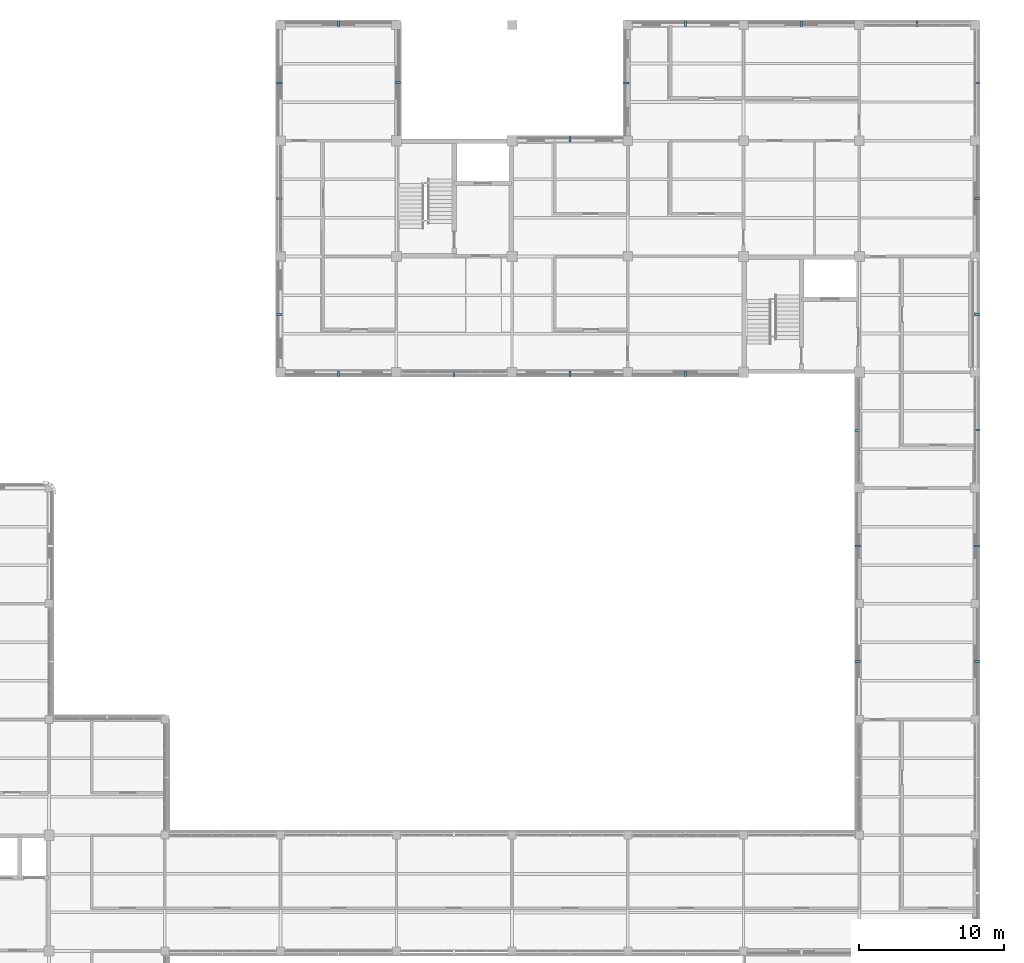
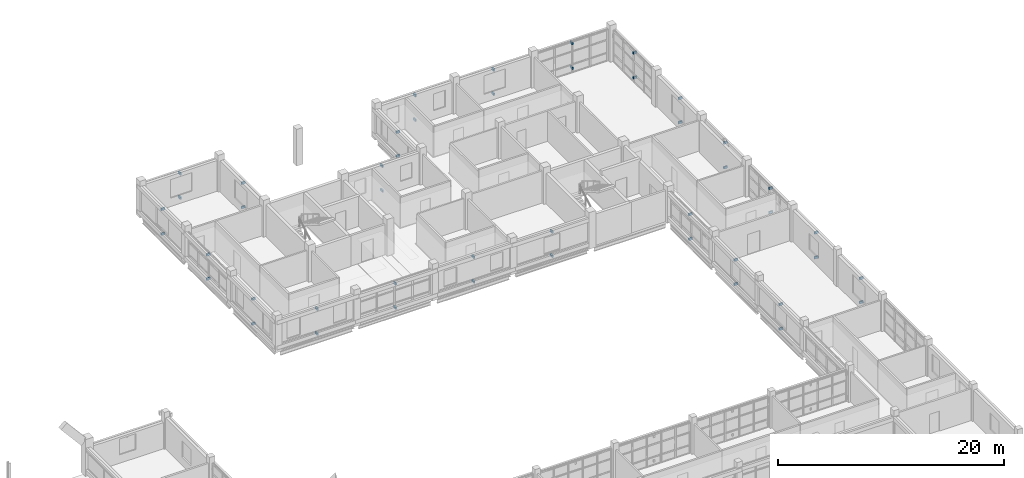
# One storey, part 82 of 92: 46 discrete accessories.
"""IFC4 building model written with IfcOpenShell, lengths in metres."""

from ifc_helpers import new_model, si_unit, derived_unit, direction, frame, origin, origin_2d, place, context, subcontext, project, spatial, rectangle, extrude, material, type_object, element, save


model = new_model("IFC4")

# Units and contexts
model_context = context("Model", 3, precision=1e-05, world=origin(), true_north=direction((0.0, 1.0)))
body_context = subcontext(model_context, "Body", "Model", "MODEL_VIEW")
ifc_project = project(units=[si_unit("LENGTHUNIT", "METRE"), si_unit("AREAUNIT", "SQUARE_METRE"), si_unit("VOLUMEUNIT", "CUBIC_METRE"), si_unit("PLANEANGLEUNIT", "RADIAN"), si_unit("MASSUNIT", "GRAM", prefix="KILO"), derived_unit("THERMALTRANSMITTANCEUNIT", [(si_unit("MASSUNIT", "GRAM", prefix="KILO"), 1), (si_unit("TIMEUNIT", "SECOND"), -3), (si_unit("THERMODYNAMICTEMPERATUREUNIT", "KELVIN"), -1)])], contexts=[model_context])

# Site, building, storey
site_placement = place(None, origin())
site = spatial("IfcSite", under=ifc_project, at=site_placement, CompositionType="ELEMENT")
building_placement = place(site_placement, origin())
building = spatial("IfcBuilding", under=site, at=building_placement, Name="Veyamyaing Civic Hall", CompositionType="ELEMENT")
storey_placement = place(building_placement, frame((0.0, 0.0, 17.820068359375)))
storey = spatial("IfcBuildingStorey", under=building, at=storey_placement, Name="L04", CompositionType="ELEMENT", Elevation=17.820068359375)

# Discrete accessories
ifc_material = material(Name="Steel S355J2", Category="steel")
discrete_accessory_type = type_object("IfcDiscreteAccessoryType", Name="BK-01", PredefinedType="BRACKET", material=ifc_material)
for number, where, z_axis, x_axis, name in (
    (1, (132.0, 87.89990234375, 3.037109375), (0.0, 0.0, 1.0), (0.0, -1.0, 0.0), "Sunshade anchor bracket BK-01 L04 S 17.12"),
    (2, (132.0, 87.89990234375, 0.35986328125), (0.0, 0.0, 1.0), (0.0, -1.0, 0.0), "Lower ribbon anchor bracket BK-01 L04 S 17.12"),
    (3, (127.89990234375, 92.0, 3.037109375), (0.0, 0.0, 1.0), (-1.0, 0.0, 0.0), "Sunshade anchor bracket BK-01 L04 W 17.12"),
    (4, (127.89990234375, 92.0, 0.35986328125), (0.0, 0.0, 1.0), (-1.0, 0.0, 0.0), "Lower ribbon anchor bracket BK-01 L04 W 17.12"),
    (5, (127.89990234375, 100.0, 2.9697265625), (0.0, 0.0, 1.0), (-1.0, 0.0, 0.0), "Sunshade anchor bracket BK-01 L04 W 17.13"),
    (6, (127.89990234375, 100.0, 0.35986328125), (0.0, 0.0, 1.0), (-1.0, 0.0, 0.0), "Lower ribbon anchor bracket BK-01 L04 W 17.13"),
    (7, (132.0, 112.10009765625, 2.97412109375), (0.0, 0.0, 1.0), (0.0, 1.0, 0.0), "Sunshade anchor bracket BK-01 L04 N 17.14"),
    (8, (132.0, 112.10009765625, 0.35986328125), (0.0, 0.0, 1.0), (0.0, 1.0, 0.0), "Lower ribbon anchor bracket BK-01 L04 N 17.14"),
    (9, (127.89990234375, 108.0, 3.0341796875), (0.0, 0.0, 1.0), (-1.0, 0.0, 0.0), "Sunshade anchor bracket BK-01 L04 W 17.14"),
    (10, (127.89990234375, 108.0, 0.35986328125), (0.0, 0.0, 1.0), (-1.0, 0.0, 0.0), "Lower ribbon anchor bracket BK-01 L04 W 17.14"),
    (11, (136.10009765625, 108.012451171875, 2.97412109375), (0.0, 0.0, 1.0), (1.0, 0.0, 0.0), "Sunshade anchor bracket BK-01 L04 E 17.14"),
    (12, (136.10009765625, 108.012451171875, 0.35986328125), (0.0, 0.0, 1.0), (1.0, 0.0, 0.0), "Lower ribbon anchor bracket BK-01 L04 E 17.14"),
    (13, (140.0, 87.89990234375, 2.9697265625), (0.0, 0.0, 1.0), (0.0, -1.0, 0.0), "Sunshade anchor bracket BK-01 L04 S 18.12"),
    (14, (140.0, 87.89990234375, 0.35986328125), (0.0, 0.0, 1.0), (0.0, -1.0, 0.0), "Lower ribbon anchor bracket BK-01 L04 S 18.12"),
    (15, (148.0, 87.89990234375, 3.0341796875), (0.0, 0.0, 1.0), (0.0, -1.0, 0.0), "Sunshade anchor bracket BK-01 L04 S 19.12"),
    (16, (148.0, 87.89990234375, 0.35986328125), (0.0, 0.0, 1.0), (0.0, -1.0, 0.0), "Lower ribbon anchor bracket BK-01 L04 S 19.12"),
    (17, (148.012451171875, 104.10009765625, 3.037109375), (0.0, 0.0, 1.0), (0.0, 1.0, 0.0), "Sunshade anchor bracket BK-01 L04 N 19.13"),
    (18, (148.012451171875, 104.10009765625, 0.35986328125), (0.0, 0.0, 1.0), (0.0, 1.0, 0.0), "Lower ribbon anchor bracket BK-01 L04 N 19.13"),
    (19, (155.987548828125, 87.89990234375, 2.97412109375), (0.0, 0.0, 1.0), (0.0, -1.0, 0.0), "Sunshade anchor bracket BK-01 L04 S 20.12"),
    (20, (155.987548828125, 87.89990234375, 0.35986328125), (0.0, 0.0, 1.0), (0.0, -1.0, 0.0), "Lower ribbon anchor bracket BK-01 L04 S 20.12"),
    (21, (156.0, 112.10009765625, 3.0087890625), (0.0, 0.0, 1.0), (0.0, 1.0, 0.0), "Sunshade anchor bracket BK-01 L04 N 20.14"),
    (22, (156.0, 112.10009765625, 0.35986328125), (0.0, 0.0, 1.0), (0.0, 1.0, 0.0), "Lower ribbon anchor bracket BK-01 L04 N 20.14"),
    (23, (151.89990234375, 108.0, 2.94482421875), (0.0, 0.0, 1.0), (-1.0, 0.0, 0.0), "Sunshade anchor bracket BK-01 L04 W 20.14"),
    (24, (151.89990234375, 108.0, 0.35986328125), (0.0, 0.0, 1.0), (-1.0, 0.0, 0.0), "Lower ribbon anchor bracket BK-01 L04 W 20.14"),
    (25, (164.0, 112.10009765625, 2.97412109375), (0.0, 0.0, 1.0), (0.0, 1.0, 0.0), "Sunshade anchor bracket BK-01 L04 N 21.14"),
    (26, (164.0, 112.10009765625, 0.35986328125), (0.0, 0.0, 1.0), (0.0, 1.0, 0.0), "Lower ribbon anchor bracket BK-01 L04 N 21.14"),
    (27, (167.89990234375, 68.0, 3.0087890625), (0.0, 0.0, 1.0), (-1.0, 0.0, 0.0), "Sunshade anchor bracket BK-01 L04 W 22.9"),
    (28, (167.89990234375, 68.0, 0.35986328125), (0.0, 0.0, 1.0), (-1.0, 0.0, 0.0), "Lower ribbon anchor bracket BK-01 L04 W 22.9"),
    (29, (176.10009765625, 68.0, 2.94873046875), (0.0, 0.0, 1.0), (1.0, 0.0, 0.0), "Sunshade anchor bracket BK-01 L04 E 22.9"),
    (30, (176.10009765625, 68.0, 0.35986328125), (0.0, 0.0, 1.0), (1.0, 0.0, 0.0), "Lower ribbon anchor bracket BK-01 L04 E 22.9"),
    (31, (167.89990234375, 75.97509765625, 2.96875), (0.0, 0.0, 1.0), (-1.0, 0.0, 0.0), "Sunshade anchor bracket BK-01 L04 W 22.10"),
    (32, (167.89990234375, 75.97509765625, 0.35986328125), (0.0, 0.0, 1.0), (-1.0, 0.0, 0.0), "Lower ribbon anchor bracket BK-01 L04 W 22.10"),
    (33, (176.10009765625, 75.97509765625, 3.03173828125), (0.0, 0.0, 1.0), (1.0, 0.0, 0.0), "Sunshade anchor bracket BK-01 L04 E 22.10"),
    (34, (176.10009765625, 75.97509765625, 0.35986328125), (0.0, 0.0, 1.0), (1.0, 0.0, 0.0), "Lower ribbon anchor bracket BK-01 L04 E 22.10"),
    (35, (167.89990234375, 83.987548828125, 3.03173828125), (0.0, 0.0, 1.0), (-1.0, 0.0, 0.0), "Sunshade anchor bracket BK-01 L04 W 22.11"),
    (36, (167.89990234375, 83.987548828125, 0.35986328125), (0.0, 0.0, 1.0), (-1.0, 0.0, 0.0), "Lower ribbon anchor bracket BK-01 L04 W 22.11"),
    (37, (176.10009765625, 84.0, 2.96484375), (0.0, 0.0, 1.0), (1.0, 0.0, 0.0), "Sunshade anchor bracket BK-01 L04 E 22.11"),
    (38, (176.10009765625, 84.0, 0.35986328125), (0.0, 0.0, 1.0), (1.0, 0.0, 0.0), "Lower ribbon anchor bracket BK-01 L04 E 22.11"),
    (39, (176.10009765625, 92.0, 3.0341796875), (0.0, 0.0, 1.0), (1.0, 0.0, 0.0), "Sunshade anchor bracket BK-01 L04 E 22.12"),
    (40, (176.10009765625, 92.0, 0.35986328125), (0.0, 0.0, 1.0), (1.0, 0.0, 0.0), "Lower ribbon anchor bracket BK-01 L04 E 22.12"),
    (41, (176.10009765625, 100.0, 2.97412109375), (0.0, 0.0, 1.0), (1.0, 0.0, 0.0), "Sunshade anchor bracket BK-01 L04 E 22.13"),
    (42, (176.10009765625, 100.0, 0.35986328125), (0.0, 0.0, 1.0), (1.0, 0.0, 0.0), "Lower ribbon anchor bracket BK-01 L04 E 22.13"),
    (43, (172.0, 112.10009765625, 3.037109375), (0.0, 0.0, 1.0), (0.0, 1.0, 0.0), "Sunshade anchor bracket BK-01 L04 N 22.14"),
    (44, (172.0, 112.10009765625, 0.35986328125), (0.0, 0.0, 1.0), (0.0, 1.0, 0.0), "Lower ribbon anchor bracket BK-01 L04 N 22.14"),
    (45, (176.10009765625, 108.0, 3.037109375), (0.0, 0.0, 1.0), (1.0, 0.0, 0.0), "Sunshade anchor bracket BK-01 L04 E 22.14"),
    (46, (176.10009765625, 108.0, 0.35986328125), (0.0, 0.0, 1.0), (1.0, 0.0, 0.0), "Lower ribbon anchor bracket BK-01 L04 E 22.14"),
):
    element("IfcDiscreteAccessory", number, at=place(storey_placement, frame(where, z_axis=z_axis, x_axis=x_axis)), inside=storey, type_object=discrete_accessory_type, Name=name, PredefinedType="BRACKET", context=body_context, shape_type="SweptSolid", body=[
        extrude(rectangle(XDim=0.3798828125, YDim=0.139892578125, at=origin_2d()), origin(), (0.0, 0.0, 1.0), 0.239990234375),
    ])

save(model, "model.ifc")
